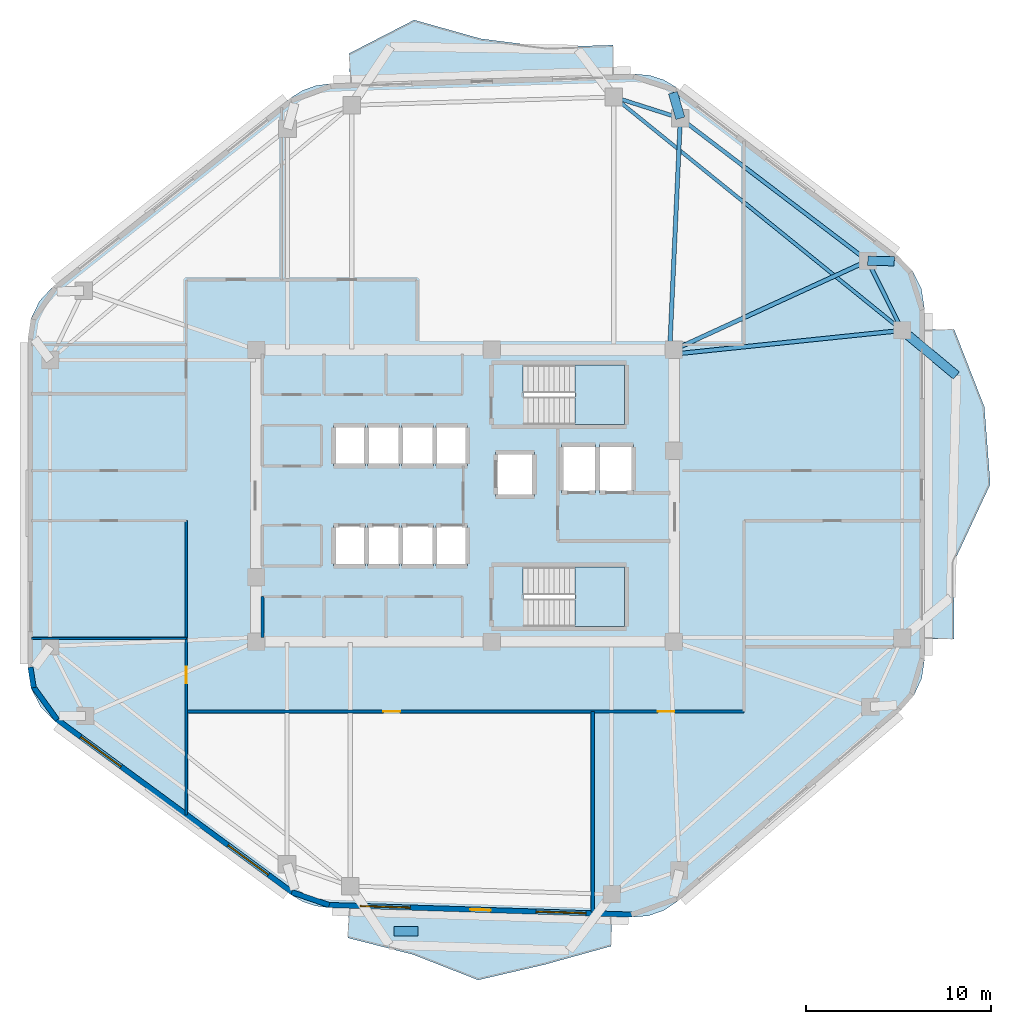
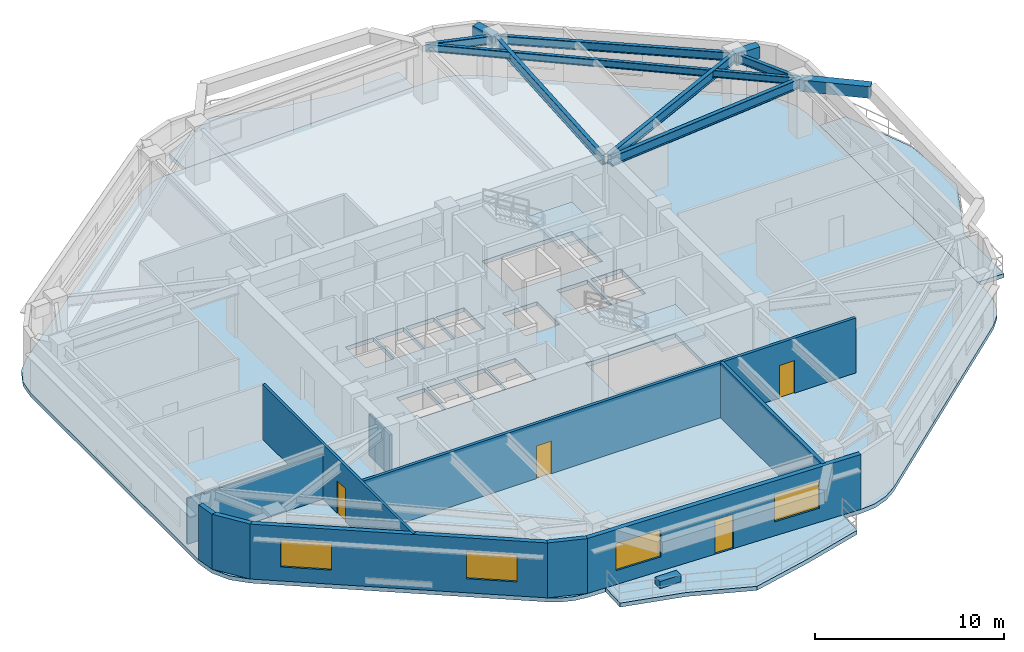
# One storey, part 2 of 8: 10 beams, 10 walls, 6 slabs, 4 doors, 4 windows, 1 plate, 8 openings, 2 elements without a shape of their own.
"""IFC4 building model written with IfcOpenShell, lengths in metres."""

import ifcopenshell
import ifcopenshell.guid

model = None  # the IFC model being written
_history = None  # IfcOwnerHistory: only IFC2X3 demands one
_inside = {}  # id of a spatial element -> (the spatial element, [elements in it])
_under = {}  # id of a project, library or spatial element -> (it, [spatial elements below it])
_declared = {}  # id of a project -> (the project, [libraries it declares])
_typed = {}  # id of a type object -> (the type object, [elements of that type])
_made_of = {}  # id of a material, layer set ... -> (it, [elements and type objects made of it])


def new_model(schema):
    """Start an empty IFC model of exactly this schema.

    Asked for "IFC4X3", IfcOpenShell would pick the latest addendum, in which some entities
    have other attributes; the version numbers below select the first issue.
    IFC2X3 requires an IfcOwnerHistory on every rooted entity: one is made here for all.
    """
    global model, _history
    if schema == "IFC4X3":
        model = ifcopenshell.file(schema_version=(4, 3, 0, 0))
    else:
        model = ifcopenshell.file(schema=schema)
    _inside.clear()
    _under.clear()
    _declared.clear()
    _typed.clear()
    _made_of.clear()
    _history = None
    if model.schema == "IFC2X3":
        org = make("IfcOrganization", Name="unknown")
        user = make(
            "IfcPersonAndOrganization",
            ThePerson=make("IfcPerson", FamilyName="unknown"),
            TheOrganization=org,
        )
        app = make(
            "IfcApplication",
            ApplicationDeveloper=org,
            Version="unknown",
            ApplicationFullName="unknown",
            ApplicationIdentifier="unknown",
        )
        _history = make(
            "IfcOwnerHistory",
            OwningUser=user,
            OwningApplication=app,
            ChangeAction="ADDED",
            CreationDate=0,
        )
    return model


def make(cls, **values):
    """One entity of the class cls with the attributes given. An attribute that is None is left unset."""
    return model.create_entity(
        cls, **{name: value for name, value in values.items() if value is not None}
    )


def rooted(cls, **values):
    """An entity with a GlobalId (a new one), such as an element, a storey or a relation."""
    return make(cls, GlobalId=ifcopenshell.guid.new(), OwnerHistory=_history, **values)


def si_unit(unit_type, name, prefix=None):
    """IfcSIUnit, for example si_unit("LENGTHUNIT", "METRE", prefix="MILLI")."""
    return make("IfcSIUnit", UnitType=unit_type, Prefix=prefix, Name=name)


def assignment(units):
    """IfcUnitAssignment: the units of a project."""
    return None if units is None else make("IfcUnitAssignment", Units=units)


def point(xyz):
    """IfcCartesianPoint."""
    return None if xyz is None else make("IfcCartesianPoint", Coordinates=xyz)


def direction(xyz):
    """IfcDirection."""
    return None if xyz is None else make("IfcDirection", DirectionRatios=xyz)


def frame(location, z_axis=None, x_axis=None):
    """IfcAxis2Placement3D, a coordinate frame: its origin and axes. An axis left out is left unset."""
    return make(
        "IfcAxis2Placement3D",
        Location=point(location),
        Axis=direction(z_axis),
        RefDirection=direction(x_axis),
    )


def frame_2d(location, x_axis=None):
    """IfcAxis2Placement2D, a coordinate frame in the plane: its origin and x axis."""
    return make(
        "IfcAxis2Placement2D", Location=point(location), RefDirection=direction(x_axis)
    )


def origin():
    """The frame at (0, 0, 0) with its axes left unset."""
    return frame((0.0, 0.0, 0.0))


def origin_2d():
    """The frame at (0, 0) in the plane with its x axis left unset."""
    return frame_2d((0.0, 0.0))


def place(relative_to, where):
    """IfcLocalPlacement: puts the frame where relative to a parent placement (None: the world)."""
    return make(
        "IfcLocalPlacement", PlacementRelTo=relative_to, RelativePlacement=where
    )


def context(
    kind, dimensions, precision=None, world=None, true_north=None, identifier=None
):
    """IfcGeometricRepresentationContext, for example the 3D "Model" context."""
    return make(
        "IfcGeometricRepresentationContext",
        ContextIdentifier=identifier,
        ContextType=kind,
        CoordinateSpaceDimension=dimensions,
        Precision=precision,
        WorldCoordinateSystem=world,
        TrueNorth=true_north,
    )


def subcontext(parent, identifier, kind, view, scale=None):
    """IfcGeometricRepresentationSubContext, for example "Body" below "Model"."""
    return make(
        "IfcGeometricRepresentationSubContext",
        ContextIdentifier=identifier,
        ContextType=kind,
        ParentContext=parent,
        TargetScale=scale,
        TargetView=view,
    )


def project(units=None, contexts=None):
    """IfcProject with its units and contexts."""
    return rooted(
        "IfcProject",
        Name="project",
        RepresentationContexts=contexts,
        UnitsInContext=assignment(units),
    )


def spatial(cls, under=None, at=None, **own):
    """A site, building, storey or space (cls), placed at a placement, below another one or the project."""
    s = rooted(cls, ObjectPlacement=at, **own)
    if under is not None:
        _under.setdefault(under.id(), (under, []))[1].append(s)
    return s


def polyline(points):
    """IfcPolyline through the points."""
    return make("IfcPolyline", Points=[point(p) for p in points])


def profile(cls, at=None, kind="AREA", **sizes):
    """A parametric profile (cls). Its sizes go by their IFC names, for example OverallWidth=200.0."""
    return make(cls, ProfileType=kind, Position=at, **sizes)


def rectangle(**sizes):
    """IfcRectangleProfileDef."""
    return profile("IfcRectangleProfileDef", **sizes)


def i_section(**sizes):
    """IfcIShapeProfileDef."""
    return profile("IfcIShapeProfileDef", **sizes)


def outline(outer, holes=None, kind="AREA"):
    """IfcArbitraryClosedProfileDef: a profile drawn as a closed curve; with holes, ...WithVoids."""
    if holes is None:
        return make("IfcArbitraryClosedProfileDef", ProfileType=kind, OuterCurve=outer)
    return make(
        "IfcArbitraryProfileDefWithVoids",
        ProfileType=kind,
        OuterCurve=outer,
        InnerCurves=holes,
    )


def extrude(swept, where, along, depth):
    """IfcExtrudedAreaSolid: the profile swept, set in the frame where, extruded along a direction by depth."""
    return make(
        "IfcExtrudedAreaSolid",
        SweptArea=swept,
        Position=where,
        ExtrudedDirection=direction(along),
        Depth=depth,
    )


def shape(context_of_items, identifier, shape_type, items):
    """IfcShapeRepresentation: the items that make up one representation, for example the "Body"."""
    return make(
        "IfcShapeRepresentation",
        ContextOfItems=context_of_items,
        RepresentationIdentifier=identifier,
        RepresentationType=shape_type,
        Items=items,
    )


def material(Name=None, Category=None):
    """IfcMaterial."""
    return make("IfcMaterial", Name=Name, Category=Category)


def layer(
    of_material, thickness, ventilated=None, Name=None, Category=None, Priority=None
):
    """IfcMaterialLayer: one layer of a wall or slab, of a material (None: an air gap)."""
    return make(
        "IfcMaterialLayer",
        Material=of_material,
        LayerThickness=thickness,
        IsVentilated=ventilated,
        Name=Name,
        Category=Category,
        Priority=Priority,
    )


def layer_set(layers, Name=None):
    """IfcMaterialLayerSet."""
    return make("IfcMaterialLayerSet", MaterialLayers=layers, LayerSetName=Name)


def material_profile(
    of_material, cross_section, Name=None, Category=None, Priority=None
):
    """IfcMaterialProfile: a cross section and its material."""
    return make(
        "IfcMaterialProfile",
        Name=Name,
        Material=of_material,
        Profile=cross_section,
        Priority=Priority,
        Category=Category,
    )


def profile_set(profiles, Name=None, composite=None):
    """IfcMaterialProfileSet."""
    return make(
        "IfcMaterialProfileSet",
        Name=Name,
        MaterialProfiles=profiles,
        CompositeProfile=composite,
    )


def made_of(thing, what):
    """Note that an element or type object is made of a material, layer set ...; save() writes the relation."""
    if what is not None:
        _made_of.setdefault(what.id(), (what, []))[1].append(thing)
    return thing


def type_object(cls, material=None, **own):
    """A type object (cls), such as IfcWallType, which elements share."""
    return made_of(rooted(cls, **own), material)


def element(
    cls,
    number,
    at=None,
    inside=None,
    cuts=None,
    type_object=None,
    material=None,
    context=None,
    identifier="Body",
    shape_type=None,
    held_by="IfcProductDefinitionShape",
    body=None,
    shapes=None,
    **own,
):
    """One element of the class cls, such as IfcWall. Its Tag is "e" and its number.

    at: its placement. inside: the storey or other place that contains it. cuts: it is an
    opening in that element (IfcRelVoidsElement). A single representation is given by context,
    identifier, shape_type and body (its items); several are given by shapes. held_by: the class
    of the entity that holds the representations. save() writes the other relations.
    """
    e = rooted(cls, Tag="e%d" % number, ObjectPlacement=at, **own)
    if body is not None:
        shapes = [shape(context, identifier, shape_type, body)]
    if shapes is not None:
        e.Representation = make(held_by, Representations=shapes)
    if inside is not None:
        _inside.setdefault(inside.id(), (inside, []))[1].append(e)
    if cuts is not None:
        rooted(
            "IfcRelVoidsElement", RelatingBuildingElement=cuts, RelatedOpeningElement=e
        )
    if type_object is not None:
        _typed.setdefault(type_object.id(), (type_object, []))[1].append(e)
    return made_of(e, material)


def fill(opening, filler):
    """IfcRelFillsElement: the door or window that sits in an opening."""
    return rooted(
        "IfcRelFillsElement",
        RelatingOpeningElement=opening,
        RelatedBuildingElement=filler,
    )


def aggregate(whole, parts):
    """IfcRelAggregates: a whole, such as a stair, and the parts it consists of."""
    return rooted("IfcRelAggregates", RelatingObject=whole, RelatedObjects=parts)


def save(model, path):
    """Write the relations noted so far, then the file.

    IfcRelAggregates (storeys below a building ...), IfcRelContainedInSpatialStructure (elements
    in a storey), IfcRelDefinesByType, IfcRelAssociatesMaterial and IfcRelDeclares: one each for
    every whole, place, type object, material and project.
    """
    for whole, parts in _under.values():
        aggregate(whole, parts)
    for where, things in _inside.values():
        rooted(
            "IfcRelContainedInSpatialStructure",
            RelatedElements=things,
            RelatingStructure=where,
        )
    for kind, things in _typed.values():
        rooted("IfcRelDefinesByType", RelatedObjects=things, RelatingType=kind)
    for what, things in _made_of.values():
        rooted("IfcRelAssociatesMaterial", RelatedObjects=things, RelatingMaterial=what)
    for by, libraries in _declared.values():
        rooted("IfcRelDeclares", RelatingContext=by, RelatedDefinitions=libraries)
    model.write(path)


model = new_model("IFC4")

# Units and contexts
model_context = context("Model", 3, precision=1e-05, world=origin(), true_north=direction((0.0, 1.0)))
body_context = subcontext(model_context, "Body", "Model", "MODEL_VIEW")
ifc_project = project(units=[si_unit("LENGTHUNIT", "METRE"), si_unit("AREAUNIT", "SQUARE_METRE"), si_unit("VOLUMEUNIT", "CUBIC_METRE"), si_unit("PLANEANGLEUNIT", "RADIAN"), si_unit("MASSUNIT", "GRAM", prefix="KILO")], contexts=[model_context])

# Site, building, storey
site_placement = place(None, origin())
site = spatial("IfcSite", under=ifc_project, at=site_placement, CompositionType="ELEMENT")
building_placement = place(site_placement, origin())
building = spatial("IfcBuilding", under=site, at=building_placement, Name="Zulverin Broadcast Headquarters", CompositionType="ELEMENT")
storey_placement = place(building_placement, frame((0.0, 0.0, 163.0)))
storey = spatial("IfcBuildingStorey", under=building, at=storey_placement, Name="L41", CompositionType="ELEMENT", Elevation=163.0)

# Beams
ifc_material_1 = material(Name="Concrete C40/50", Category="concrete")
ifc_material_profile_1 = material_profile(ifc_material_1, rectangle(XDim=0.5, YDim=0.75, at=origin_2d()), Name="Concrete C40/50", Category="concrete")
ifc_profile_set_1 = profile_set([ifc_material_profile_1], Name="Concrete C40/50")
beam_type_1 = type_object("IfcBeamType", Name="BM-RC-500x750", PredefinedType="BEAM", material=ifc_profile_set_1)
for number, where, z_axis, x_axis, name in (
    (1, (58.738037109375, 37.877685546875, 3.1650390625), (0.99990438472, -0.013828283279, 0.0), (0.013828283279, 0.99990438472, 0.0), "L42 Plate Overhang Back-Spanned Beam OVR-07"),
    (2, (48.62158203125, 45.574951171875, 3.1650390625), (-0.28015077605, 0.959956010804, 0.0), (-0.959956010804, -0.28015077605, 0.0), "L42 Plate Overhang Back-Spanned Beam OVR-08"),
):
    element("IfcBeam", number, at=place(storey_placement, frame(where, z_axis=z_axis, x_axis=x_axis)), inside=storey, type_object=beam_type_1, Name=name, PredefinedType="BEAM", context=body_context, shape_type="SweptSolid", body=[
        extrude(rectangle(XDim=0.5, YDim=0.75, at=origin_2d()), origin(), (0.0, 0.0, 1.0), 1.43017578125),
    ])
beam_1_placement = place(storey_placement, frame((60.60009765625, 34.12158203125, 3.1650390625), z_axis=(0.768400300007, -0.639969514078, 0.0), x_axis=(0.639969514078, 0.768400300007, 0.0)))
element("IfcBeam", 3, at=beam_1_placement, inside=storey, type_object=beam_type_1, Name="L42 Balcony Column-Framed Cantilever BAL_E-2", PredefinedType="BEAM", context=body_context, shape_type="SweptSolid", body=[
    extrude(rectangle(XDim=0.5, YDim=0.75, at=origin_2d()), origin(), (0.0, 0.0, 1.0), 3.800048828125),
])
ifc_material_2 = material(Name="Structural steel S355JR", Category="steel")
ifc_material_profile_2 = material_profile(ifc_material_2, i_section(OverallWidth=0.19287109375, OverallDepth=0.46728515625, WebThickness=0.011474609375, FlangeThickness=0.01953125, at=origin_2d()), Name="Structural steel S355JR", Category="steel")
ifc_profile_set_2 = profile_set([ifc_material_profile_2], Name="Structural steel S355JR")
beam_type_2 = type_object("IfcBeamType", Name="BM-UB-457", PredefinedType="JOIST", material=ifc_profile_set_2)
beam_2_placement = place(storey_placement, frame((60.60009765625, 34.12158203125, 3.306396484375), z_axis=(-0.777349017335, 0.629069555175, 0.0), x_axis=(-0.629069555175, -0.777349017335, 0.0)))
element("IfcBeam", 4, at=beam_2_placement, inside=storey, type_object=beam_type_2, Name="L41 Chordal Floor Joist J-02", PredefinedType="JOIST", context=body_context, shape_type="SweptSolid", body=[
    extrude(i_section(OverallWidth=0.19287109375, OverallDepth=0.46728515625, WebThickness=0.011474609375, FlangeThickness=0.01953125, at=origin_2d()), origin(), (0.0, 0.0, 1.0), 20.032958984375),
])
ifc_material_profile_3 = material_profile(ifc_material_2, i_section(OverallWidth=0.2119140625, OverallDepth=0.54443359375, WebThickness=0.0126953125, FlangeThickness=0.021240234375, at=origin_2d()), Name="Structural steel S355JR", Category="steel")
ifc_profile_set_3 = profile_set([ifc_material_profile_3], Name="Structural steel S355JR")
beam_type_3 = type_object("IfcBeamType", Name="BM-UB-533", PredefinedType="SPANDREL", material=ifc_profile_set_3)
beam_3_placement = place(storey_placement, frame((60.60009765625, 34.12158203125, 3.267578125), z_axis=(-0.444159471033, 0.895947746407, 0.0), x_axis=(-0.895947746407, -0.444159471033, 0.0)))
element("IfcBeam", 5, at=beam_3_placement, inside=storey, type_object=beam_type_3, Name="L41 Perimeter Spandrel Beam SP-06", PredefinedType="SPANDREL", context=body_context, shape_type="SweptSolid", body=[
    extrude(i_section(OverallWidth=0.2119140625, OverallDepth=0.54443359375, WebThickness=0.0126953125, FlangeThickness=0.021240234375, at=origin_2d()), origin(), (0.0, 0.0, 1.0), 4.1923828125),
])
beam_4_placement = place(storey_placement, frame((58.738037109375, 37.877685546875, 3.267578125), z_axis=(-0.795830102505, 0.60551998146, 0.0), x_axis=(-0.60551998146, -0.795830102505, 0.0)))
element("IfcBeam", 6, at=beam_4_placement, inside=storey, type_object=beam_type_3, Name="L41 Perimeter Spandrel Beam SP-07", PredefinedType="SPANDREL", context=body_context, shape_type="SweptSolid", body=[
    extrude(i_section(OverallWidth=0.2119140625, OverallDepth=0.54443359375, WebThickness=0.0126953125, FlangeThickness=0.021240234375, at=origin_2d()), origin(), (0.0, 0.0, 1.0), 12.7119140625),
])
beam_5_placement = place(storey_placement, frame((48.62158203125, 45.574951171875, 3.267578125), z_axis=(-0.952531523781, 0.304439971428, 0.0), x_axis=(-0.304439971428, -0.952531523781, 0.0)))
element("IfcBeam", 7, at=beam_5_placement, inside=storey, type_object=beam_type_3, Name="L41 Perimeter Spandrel Beam SP-08", PredefinedType="SPANDREL", context=body_context, shape_type="SweptSolid", body=[
    extrude(i_section(OverallWidth=0.2119140625, OverallDepth=0.54443359375, WebThickness=0.0126953125, FlangeThickness=0.021240234375, at=origin_2d()), origin(), (0.0, 0.0, 1.0), 3.773193359375),
])
ifc_material_profile_4 = material_profile(ifc_material_2, i_section(OverallWidth=0.230224609375, OverallDepth=0.6171875, WebThickness=0.01318359375, FlangeThickness=0.022216796875, at=origin_2d()), Name="Structural steel S355JR", Category="steel")
ifc_profile_set_4 = profile_set([ifc_material_profile_4], Name="Structural steel S355JR")
beam_type_4 = type_object("IfcBeamType", Name="BM-UB-610", PredefinedType="BEAM", material=ifc_profile_set_4)
beam_6_placement = place(storey_placement, frame((48.324951171875, 32.85009765625, 3.2314453125), z_axis=(0.994678169641, 0.103030766473, 0.0), x_axis=(-0.103030766473, 0.994678169641, 0.0)))
element("IfcBeam", 8, at=beam_6_placement, inside=storey, type_object=beam_type_4, Name="L41 Radial Primary Floor Beam RB-06", PredefinedType="BEAM", context=body_context, shape_type="SweptSolid", body=[
    extrude(i_section(OverallWidth=0.230224609375, OverallDepth=0.6171875, WebThickness=0.01318359375, FlangeThickness=0.022216796875, at=origin_2d()), origin(), (0.0, 0.0, 1.0), 12.3408203125),
])
beam_7_placement = place(storey_placement, frame((48.27490234375, 33.074951171875, 3.2314453125), z_axis=(0.90883007293, 0.417166511764, 0.0), x_axis=(-0.417166511764, 0.90883007293, 0.0)))
element("IfcBeam", 9, at=beam_7_placement, inside=storey, type_object=beam_type_4, Name="L41 Radial Primary Floor Beam RB-07", PredefinedType="BEAM", context=body_context, shape_type="SweptSolid", body=[
    extrude(i_section(OverallWidth=0.230224609375, OverallDepth=0.6171875, WebThickness=0.01318359375, FlangeThickness=0.022216796875, at=origin_2d()), origin(), (0.0, 0.0, 1.0), 11.5126953125),
])
beam_8_placement = place(storey_placement, frame((48.050048828125, 33.125, 3.2314453125), z_axis=(0.045858166026, 0.998947960911, 0.0), x_axis=(-0.998947960911, 0.045858166026, 0.0)))
element("IfcBeam", 10, at=beam_8_placement, inside=storey, type_object=beam_type_4, Name="L41 Radial Primary Floor Beam RB-08", PredefinedType="BEAM", context=body_context, shape_type="SweptSolid", body=[
    extrude(i_section(OverallWidth=0.230224609375, OverallDepth=0.6171875, WebThickness=0.01318359375, FlangeThickness=0.022216796875, at=origin_2d()), origin(), (0.0, 0.0, 1.0), 12.463134765625),
])

# Plate
ifc_material_3 = material(Name="Precast concrete C45/55", Category="concrete")
ifc_layer_1 = layer(ifc_material_3, 0.449951171875, Name="Precast concrete C45/55", Category="concrete")
ifc_layer_set_1 = layer_set([ifc_layer_1], Name="Precast concrete C45/55")
plate_type = type_object("IfcPlateType", Name="PT-01_PRECAST_GFRC_TREE_PLANTER", PredefinedType="USERDEFINED", material=ifc_layer_set_1)
plate_placement = place(storey_placement, frame((33.808349609375, 1.68115234375, -0.0048828125), z_axis=(0.0, 0.0, 1.0), x_axis=(1.0, 0.0, 0.0)))
element("IfcPlate", 11, at=plate_placement, inside=storey, type_object=plate_type, Name="L41 Precast GFRC Tree Planter BAL_S", ObjectType="PLANTER", PredefinedType="USERDEFINED", context=body_context, shape_type="SweptSolid", body=[
    extrude(rectangle(XDim=1.300048828125, YDim=0.5, at=origin_2d()), origin(), (0.0, 0.0, 1.0), 0.449951171875),
])

# Slabs
ifc_layer_2 = layer(ifc_material_1, 0.260009765625, Name="Concrete C40/50", Category="concrete")
ifc_layer_set_2 = layer_set([ifc_layer_2], Name="Concrete C40/50")
slab_type_1 = type_object("IfcSlabType", Name="SLB-BAL-260", PredefinedType="FLOOR", material=ifc_layer_set_2)
slab_1_placement = place(storey_placement, frame((0.0, 0.0, -0.260009765625)))
element("IfcSlab", 12, at=slab_1_placement, inside=storey, type_object=slab_type_1, Name="L41 Cantilevered Planted Balcony Slab BAL_E", PredefinedType="FLOOR", context=body_context, shape_type="SweptSolid", body=[
    extrude(outline(polyline([(61.800048828125, 34.17138671875), (61.800048828125, 17.46923828125), (63.39990234375, 17.46923828125), (63.39990234375, 21.644775390625), (65.35009765625, 25.8203125), (65.029541015625, 29.995849609375), (63.39990234375, 34.17138671875), (61.800048828125, 34.17138671875)])), origin(), (0.0, 0.0, 1.0), 0.260009765625),
])
slab_2_placement = place(storey_placement, frame((0.0, 0.0, -0.260009765625)))
element("IfcSlab", 13, at=slab_2_placement, inside=storey, type_object=slab_type_1, Name="L41 Cantilevered Planted Balcony Slab BAL_S", PredefinedType="FLOOR", context=body_context, shape_type="SweptSolid", body=[
    extrude(outline(polyline([(44.921630859375, 2.479248046875), (30.720458984375, 2.9296875), (30.669921875, 1.33056640625), (34.195068359375, 0.429931640625), (37.705322265625, -0.943603515625), (41.28564453125, -0.11328125), (44.87109375, 0.8798828125), (44.921630859375, 2.479248046875)])), origin(), (0.0, 0.0, 1.0), 0.260009765625),
])
slab_3_placement = place(storey_placement, frame((0.0, 0.0, -0.260009765625)))
element("IfcSlab", 14, at=slab_3_placement, inside=storey, type_object=slab_type_1, Name="L41 Cantilevered Planted Balcony Slab BAL_N", PredefinedType="FLOOR", context=body_context, shape_type="SweptSolid", body=[
    extrude(outline(polyline([(30.794189453125, 47.47265625), (45.03955078125, 47.924560546875), (44.98876953125, 49.523681640625), (41.427490234375, 49.410888671875), (37.847900390625, 49.86767578125), (34.2509765625, 50.87841796875), (30.743408203125, 49.072021484375), (30.794189453125, 47.47265625)])), origin(), (0.0, 0.0, 1.0), 0.260009765625),
])

# Stair, slab
stair_type = type_object("IfcStairType", Name="ST-CORE-1500", PredefinedType="HALF_TURN_STAIR", material=ifc_material_1)
stair_1_placement = place(storey_placement, origin())
stair_1 = element("IfcStair", 15, at=stair_1_placement, inside=storey, type_object=stair_type, Name="L41 Core Exit Stair ST-1", PredefinedType="HALF_TURN_STAIR")
ifc_layer_3 = layer(ifc_material_1, 0.199951171875, Name="Concrete C40/50", Category="concrete")
ifc_layer_set_3 = layer_set([ifc_layer_3], Name="Concrete C40/50")
slab_type_2 = type_object("IfcSlabType", Name="SLB-ST-LND200", PredefinedType="LANDING", material=ifc_layer_set_3)
slab_4_placement = place(storey_placement, frame((0.0, 0.0, 1.699951171875)))
slab_4 = element("IfcSlab", 16, at=slab_4_placement, type_object=slab_type_2, Name="ST-1 landing 1", PredefinedType="LANDING", context=body_context, shape_type="SweptSolid", body=[
    extrude(outline(polyline([(42.929931640625, 29.050048828125), (45.60009765625, 29.050048828125), (45.60009765625, 32.25), (42.929931640625, 32.25), (42.929931640625, 29.050048828125)])), origin(), (0.0, 0.0, 1.0), 0.199951171875),
])
aggregate(stair_1, [slab_4])

stair_2_placement = place(storey_placement, origin())
stair_2 = element("IfcStair", 17, at=stair_2_placement, inside=storey, type_object=stair_type, Name="L41 Core Exit Stair ST-2", PredefinedType="HALF_TURN_STAIR")
slab_5_placement = place(storey_placement, frame((0.0, 0.0, 1.699951171875)))
slab_5 = element("IfcSlab", 18, at=slab_5_placement, type_object=slab_type_2, Name="ST-2 landing 1", PredefinedType="LANDING", context=body_context, shape_type="SweptSolid", body=[
    extrude(outline(polyline([(42.929931640625, 18.14990234375), (45.60009765625, 18.14990234375), (45.60009765625, 21.35009765625), (42.929931640625, 21.35009765625), (42.929931640625, 18.14990234375)])), origin(), (0.0, 0.0, 1.0), 0.199951171875),
])
aggregate(stair_2, [slab_5])

# Slab
ifc_layer_4 = layer(ifc_material_1, 0.260009765625, Name="Concrete C40/50", Category="concrete")
ifc_layer_set_4 = layer_set([ifc_layer_4], Name="Concrete C40/50")
slab_type_3 = type_object("IfcSlabType", Name="SLB-TWR-260", PredefinedType="FLOOR", material=ifc_layer_set_4)
slab_6_placement = place(storey_placement, frame((0.0, 0.0, -0.260009765625)))
element("IfcSlab", 19, at=slab_6_placement, inside=storey, type_object=slab_type_3, Name="L41 Main Structural Floor Slab", PredefinedType="FLOOR", context=body_context, shape_type="SweptSolid", body=[
    extrude(outline(polyline([(27.603515625, 3.661865234375), (28.224365234375, 3.295166015625), (28.906005859375, 3.0595703125), (29.62109375, 2.964599609375), (46.02099609375, 2.4443359375), (46.902587890625, 2.525146484375), (47.738037109375, 2.81884765625), (48.476318359375, 3.3076171875), (60.541015625, 13.63427734375), (61.220703125, 14.41064453125), (61.652099609375, 15.34814453125), (61.800048828125, 16.369384765625), (61.800048828125, 35.271484375), (61.6318359375, 36.358642578125), (61.143310546875, 37.344482421875), (60.3798828125, 38.136474609375), (48.432861328125, 47.226318359375), (47.73095703125, 47.643798828125), (46.952880859375, 47.892578125), (46.138916015625, 47.95947265625), (29.694580078125, 47.437744140625), (28.9365234375, 47.332275390625), (28.2177734375, 47.06884765625), (27.57080078125, 46.659423828125), (14.761962890625, 36.492919921875), (14.02880859375, 35.705810546875), (13.560791015625, 34.737060546875), (13.39990234375, 33.673095703125), (13.39990234375, 15.921875), (13.57421875, 14.815673828125), (14.079833984375, 13.81640625), (14.8681640625, 13.02099609375), (27.603515625, 3.661865234375)]), holes=[polyline([(40.155029296875, 30.75), (40.130126953125, 30.75), (40.130126953125, 32.25), (45.60009765625, 32.25), (45.60009765625, 29.050048828125), (40.155029296875, 29.050048828125), (40.155029296875, 30.75)]), polyline([(40.155029296875, 19.85009765625), (40.130126953125, 19.85009765625), (40.130126953125, 21.35009765625), (45.60009765625, 21.35009765625), (45.60009765625, 18.14990234375), (40.155029296875, 18.14990234375), (40.155029296875, 19.85009765625)]), polyline([(29.89990234375, 21.39990234375), (31.6201171875, 21.39990234375), (31.6201171875, 23.60009765625), (29.89990234375, 23.60009765625), (29.89990234375, 21.39990234375)]), polyline([(31.739990234375, 21.39990234375), (33.4599609375, 21.39990234375), (33.4599609375, 23.60009765625), (31.739990234375, 23.60009765625), (31.739990234375, 21.39990234375)]), polyline([(33.580078125, 21.39990234375), (35.300048828125, 21.39990234375), (35.300048828125, 23.60009765625), (33.580078125, 23.60009765625), (33.580078125, 21.39990234375)]), polyline([(35.419921875, 21.39990234375), (37.139892578125, 21.39990234375), (37.139892578125, 23.60009765625), (35.419921875, 23.60009765625), (35.419921875, 21.39990234375)]), polyline([(29.89990234375, 26.800048828125), (31.6201171875, 26.800048828125), (31.6201171875, 29.0), (29.89990234375, 29.0), (29.89990234375, 26.800048828125)]), polyline([(31.739990234375, 26.800048828125), (33.4599609375, 26.800048828125), (33.4599609375, 29.0), (31.739990234375, 29.0), (31.739990234375, 26.800048828125)]), polyline([(33.580078125, 26.800048828125), (35.300048828125, 26.800048828125), (35.300048828125, 29.0), (33.580078125, 29.0), (33.580078125, 26.800048828125)]), polyline([(35.419921875, 26.800048828125), (37.139892578125, 26.800048828125), (37.139892578125, 29.0), (35.419921875, 29.0), (35.419921875, 26.800048828125)]), polyline([(42.199951171875, 25.35009765625), (44.050048828125, 25.35009765625), (44.050048828125, 27.949951171875), (42.199951171875, 27.949951171875), (42.199951171875, 25.35009765625)]), polyline([(44.25, 25.35009765625), (46.10009765625, 25.35009765625), (46.10009765625, 27.949951171875), (44.25, 27.949951171875), (44.25, 25.35009765625)]), polyline([(38.64990234375, 25.14990234375), (40.75, 25.14990234375), (40.75, 27.550048828125), (38.64990234375, 27.550048828125), (38.64990234375, 25.14990234375)])]), origin(), (0.0, 0.0, 1.0), 0.260009765625),
])

# Wall
ifc_material_4 = material(Name="Acoustic drywall steel stud", Category="steel")
ifc_layer_5 = layer(ifc_material_4, 0.199951171875, Name="Acoustic drywall steel stud", Category="steel")
ifc_layer_set_5 = layer_set([ifc_layer_5], Name="Acoustic drywall steel stud")
wall_type_1 = type_object("IfcWallType", Name="WL-ACOU-200", PredefinedType="PARTITIONING", material=ifc_layer_set_5)
wall_1_placement = place(storey_placement, frame((43.89990234375, 2.716552734375, 0.0), z_axis=(0.0, 0.0, 1.0), x_axis=(0.0, 1.0, 0.0)))
element("IfcWall", 20, at=wall_1_placement, inside=storey, type_object=wall_type_1, Name="L41 Room Partition Wall RP-03", PredefinedType="PARTITIONING", context=body_context, shape_type="SweptSolid", body=[
    extrude(rectangle(XDim=10.83349609375, YDim=0.199951171875, at=frame_2d((5.416748046875, 0.0))), origin(), (0.0, 0.0, 1.0), 3.5400390625),
])

# Wall, openings, door, windows
ifc_material_5 = material(Name="Insulated pale-metal clad concrete spandrel C40/50", Category="concrete")
ifc_layer_6 = layer(ifc_material_5, 0.280029296875, Name="Insulated pale-metal clad concrete spandrel C40/50", Category="concrete")
ifc_layer_set_6 = layer_set([ifc_layer_6], Name="Insulated pale-metal clad concrete spandrel C40/50")
wall_type_2 = type_object("IfcWallType", Name="WL-EXT-280", PredefinedType="STANDARD", material=ifc_layer_set_6)
wall_2_placement = place(storey_placement, frame((29.62548828125, 3.1044921875, 0.0), z_axis=(0.0, 0.0, 1.0), x_axis=(0.99949718661, -0.031707632487, 0.0)))
wall_2 = element("IfcWall", 21, at=wall_2_placement, inside=storey, type_object=wall_type_2, Name="L41 Pale-Metal Clad Spandrel Wall 1", PredefinedType="STANDARD", context=body_context, shape_type="SweptSolid", body=[
    extrude(rectangle(XDim=16.408203125, YDim=0.280029296875, at=frame_2d((8.2041015625, 0.0))), origin(), (0.0, 0.0, 1.0), 3.5400390625),
])
opening_1_placement = place(wall_2_placement, frame((7.654052734375, 0.0, 0.0)))
opening_1 = element("IfcOpeningElement", 22, at=opening_1_placement, cuts=wall_2, Name="Opening D-L41-TR1", PredefinedType="OPENING", context=body_context, shape_type="SweptSolid", body=[
    extrude(rectangle(XDim=1.10009765625, YDim=2.199951171875, at=frame_2d((0.550048828125, 1.10009765625))), frame((0.0, 0.14990234375, 0.0), z_axis=(0.0, -1.0, 0.0), x_axis=(1.0, 0.0, 0.0)), (0.0, 0.0, 1.0), 0.300048828125),
])
opening_2_placement = place(wall_2_placement, frame((1.718017578125, 0.0, 0.89990234375)))
opening_2 = element("IfcOpeningElement", 23, at=opening_2_placement, cuts=wall_2, Name="Opening W-L41-E11", PredefinedType="OPENING", context=body_context, shape_type="SweptSolid", body=[
    extrude(rectangle(XDim=2.699951171875, YDim=1.75, at=frame_2d((1.35009765625, 0.875))), frame((0.0, 0.14990234375, 0.0), z_axis=(0.0, -1.0, 0.0), x_axis=(1.0, 0.0, 0.0)), (0.0, 0.0, 1.0), 0.300048828125),
])
opening_3_placement = place(wall_2_placement, frame((11.210205078125, 0.0, 0.89990234375)))
opening_3 = element("IfcOpeningElement", 24, at=opening_3_placement, cuts=wall_2, Name="Opening W-L41-E12", PredefinedType="OPENING", context=body_context, shape_type="SweptSolid", body=[
    extrude(rectangle(XDim=2.699951171875, YDim=1.75, at=frame_2d((1.35009765625, 0.875))), frame((0.0, 0.14990234375, 0.0), z_axis=(0.0, -1.0, 0.0), x_axis=(1.0, 0.0, 0.0)), (0.0, 0.0, 1.0), 0.300048828125),
])
ifc_material_6 = material(Name="Thermally broken aluminium glazed", Category="aluminium")
door_type_1 = type_object("IfcDoorType", Name="DR-TERR-1100", OperationType="SINGLE_SWING_RIGHT", PredefinedType="DOOR", material=ifc_material_6)
door_1_placement = place(opening_1_placement, origin())
door_1 = element("IfcDoor", 25, at=door_1_placement, inside=storey, type_object=door_type_1, Name="L41 Planted Terrace Glazed Access Door 1", OperationType="SINGLE_SWING_RIGHT", OverallHeight=2.199951171875, OverallWidth=1.10009765625, PredefinedType="DOOR", context=body_context, shape_type="SweptSolid", body=[
    extrude(rectangle(XDim=1.10009765625, YDim=2.199951171875, at=frame_2d((0.550048828125, 1.10009765625))), frame((0.0, 0.02490234375, 0.0), z_axis=(0.0, -1.0, 0.0), x_axis=(1.0, 0.0, 0.0)), (0.0, 0.0, 1.0), 0.050048828125),
])
fill(opening_1, door_1)
ifc_material_7 = material(Name="Pale anodized aluminium frame with solar-control low-E double glazing", Category="aluminium")
window_type = type_object("IfcWindowType", Name="WIN-TWR-2700", PartitioningType="SINGLE_PANEL", PredefinedType="WINDOW", material=ifc_material_7)
window_1_placement = place(opening_2_placement, origin())
window_1 = element("IfcWindow", 26, at=window_1_placement, inside=storey, type_object=window_type, Name="L41 Ribbon Glazing Window 1 1", OverallHeight=1.75, OverallWidth=2.699951171875, PartitioningType="SINGLE_PANEL", PredefinedType="WINDOW", context=body_context, shape_type="SweptSolid", body=[
    extrude(rectangle(XDim=2.699951171875, YDim=1.75, at=frame_2d((1.35009765625, 0.875))), frame((0.0, 0.030029296875, 0.0), z_axis=(0.0, -1.0, 0.0), x_axis=(1.0, 0.0, 0.0)), (0.0, 0.0, 1.0), 0.06005859375),
])
fill(opening_2, window_1)
window_2_placement = place(opening_3_placement, origin())
window_2 = element("IfcWindow", 27, at=window_2_placement, inside=storey, type_object=window_type, Name="L41 Ribbon Glazing Window 1 2", OverallHeight=1.75, OverallWidth=2.699951171875, PartitioningType="SINGLE_PANEL", PredefinedType="WINDOW", context=body_context, shape_type="SweptSolid", body=[
    extrude(rectangle(XDim=2.699951171875, YDim=1.75, at=frame_2d((1.35009765625, 0.875))), frame((0.0, 0.030029296875, 0.0), z_axis=(0.0, -1.0, 0.0), x_axis=(1.0, 0.0, 0.0)), (0.0, 0.0, 1.0), 0.06005859375),
])
fill(opening_3, window_2)

# Wall, openings, windows
wall_3_placement = place(storey_placement, frame((14.950927734375, 13.1337890625, 0.0), z_axis=(0.0, 0.0, 1.0), x_axis=(0.805804940328, -0.592181051827, 0.0)))
wall_3 = element("IfcWall", 28, at=wall_3_placement, inside=storey, type_object=wall_type_2, Name="L41 Pale-Metal Clad Spandrel Wall 8", PredefinedType="STANDARD", context=body_context, shape_type="SweptSolid", body=[
    extrude(rectangle(XDim=15.804443359375, YDim=0.280029296875, at=frame_2d((7.90234375, 0.0))), origin(), (0.0, 0.0, 1.0), 3.5400390625),
])
opening_4_placement = place(wall_3_placement, frame((1.617431640625, 0.0, 0.89990234375)))
opening_4 = element("IfcOpeningElement", 29, at=opening_4_placement, cuts=wall_3, Name="Opening W-L41-E81", PredefinedType="OPENING", context=body_context, shape_type="SweptSolid", body=[
    extrude(rectangle(XDim=2.699951171875, YDim=1.75, at=frame_2d((1.35009765625, 0.875))), frame((0.0, 0.14990234375, 0.0), z_axis=(0.0, -1.0, 0.0), x_axis=(1.0, 0.0, 0.0)), (0.0, 0.0, 1.0), 0.300048828125),
])
opening_5_placement = place(wall_3_placement, frame((11.487060546875, 0.0, 0.89990234375)))
opening_5 = element("IfcOpeningElement", 30, at=opening_5_placement, cuts=wall_3, Name="Opening W-L41-E82", PredefinedType="OPENING", context=body_context, shape_type="SweptSolid", body=[
    extrude(rectangle(XDim=2.699951171875, YDim=1.75, at=frame_2d((1.35009765625, 0.875))), frame((0.0, 0.14990234375, 0.0), z_axis=(0.0, -1.0, 0.0), x_axis=(1.0, 0.0, 0.0)), (0.0, 0.0, 1.0), 0.300048828125),
])
window_3_placement = place(opening_4_placement, origin())
window_3 = element("IfcWindow", 31, at=window_3_placement, inside=storey, type_object=window_type, Name="L41 Ribbon Glazing Window 8 1", OverallHeight=1.75, OverallWidth=2.699951171875, PartitioningType="SINGLE_PANEL", PredefinedType="WINDOW", context=body_context, shape_type="SweptSolid", body=[
    extrude(rectangle(XDim=2.699951171875, YDim=1.75, at=frame_2d((1.35009765625, 0.875))), frame((0.0, 0.030029296875, 0.0), z_axis=(0.0, -1.0, 0.0), x_axis=(1.0, 0.0, 0.0)), (0.0, 0.0, 1.0), 0.06005859375),
])
fill(opening_4, window_3)
window_4_placement = place(opening_5_placement, origin())
window_4 = element("IfcWindow", 32, at=window_4_placement, inside=storey, type_object=window_type, Name="L41 Ribbon Glazing Window 8 2", OverallHeight=1.75, OverallWidth=2.699951171875, PartitioningType="SINGLE_PANEL", PredefinedType="WINDOW", context=body_context, shape_type="SweptSolid", body=[
    extrude(rectangle(XDim=2.699951171875, YDim=1.75, at=frame_2d((1.35009765625, 0.875))), frame((0.0, 0.030029296875, 0.0), z_axis=(0.0, -1.0, 0.0), x_axis=(1.0, 0.0, 0.0)), (0.0, 0.0, 1.0), 0.06005859375),
])
fill(opening_5, window_4)

# Walls
wall_4_placement = place(storey_placement, frame((13.538330078125, 15.943603515625, 0.0), z_axis=(0.0, 0.0, 1.0), x_axis=(0.155447556013, -0.987844146275, 0.0)))
element("IfcWall", 33, at=wall_4_placement, inside=storey, type_object=wall_type_2, Name="L41 Wind-Shaped Corner Spandrel Wall 7-1", PredefinedType="STANDARD", context=body_context, shape_type="SweptSolid", body=[
    extrude(rectangle(XDim=1.119873046875, YDim=0.280029296875, at=frame_2d((0.56005859375, 0.0))), origin(), (0.0, 0.0, 1.0), 3.5400390625),
])
wall_5_placement = place(storey_placement, frame((13.687744140625, 14.897705078125, 0.0), z_axis=(0.0, 0.0, 1.0), x_axis=(0.584833657716, -0.811153248655, 0.0)))
element("IfcWall", 34, at=wall_5_placement, inside=storey, type_object=wall_type_2, Name="L41 Wind-Shaped Corner Spandrel Wall 7-2", PredefinedType="STANDARD", context=body_context, shape_type="SweptSolid", body=[
    extrude(rectangle(XDim=2.21240234375, YDim=0.280029296875, at=frame_2d((1.106201171875, 0.0))), origin(), (0.0, 0.0, 1.0), 3.5400390625),
])
wall_6_placement = place(storey_placement, frame((27.649169921875, 3.794189453125, 0.0), z_axis=(0.0, 0.0, 1.0), x_axis=(0.945149124969, -0.326639145802, 0.0)))
element("IfcWall", 35, at=wall_6_placement, inside=storey, type_object=wall_type_2, Name="L41 Wind-Shaped Corner Spandrel Wall 8-1", PredefinedType="STANDARD", context=body_context, shape_type="SweptSolid", body=[
    extrude(rectangle(XDim=2.134765625, YDim=0.280029296875, at=frame_2d((1.0673828125, 0.0))), origin(), (0.0, 0.0, 1.0), 3.5400390625),
])
ifc_material_8 = material(Name="Fire-rated acoustic laminated glass screen", Category="glass")
ifc_layer_7 = layer(ifc_material_8, 0.10009765625, Name="Fire-rated acoustic laminated glass screen", Category="glass")
ifc_layer_set_7 = layer_set([ifc_layer_7], Name="Fire-rated acoustic laminated glass screen")
wall_type_3 = type_object("IfcWallType", Name="WL-GLAZ-100", PredefinedType="PARTITIONING", material=ifc_layer_set_7)
wall_7_placement = place(storey_placement, frame((13.60498046875, 17.5, 0.0), z_axis=(0.0, 0.0, 1.0), x_axis=(1.0, 0.0, 0.0)))
element("IfcWall", 36, at=wall_7_placement, inside=storey, type_object=wall_type_3, Name="L41 Room Partition Wall RP-10", PredefinedType="PARTITIONING", context=body_context, shape_type="SweptSolid", body=[
    extrude(rectangle(XDim=8.344970703125, YDim=0.10009765625, at=frame_2d((4.17236328125, 0.0))), origin(), (0.0, 0.0, 1.0), 2.9228515625),
])
ifc_material_9 = material(Name="Fire-rated gypsum stud partition", Category="gypsum")
ifc_layer_8 = layer(ifc_material_9, 0.14990234375, Name="Fire-rated gypsum stud partition", Category="gypsum")
ifc_layer_set_8 = layer_set([ifc_layer_8], Name="Fire-rated gypsum stud partition")
wall_type_4 = type_object("IfcWallType", Name="WL-PART-150", PredefinedType="PARTITIONING", material=ifc_layer_set_8)
wall_8_placement = place(storey_placement, frame((26.070068359375, 17.550048828125, 0.0), z_axis=(0.0, 0.0, 1.0), x_axis=(0.0, 1.0, 0.0)))
element("IfcWall", 37, at=wall_8_placement, inside=storey, type_object=wall_type_4, Name="L41 Core Female WC West Wall", PredefinedType="PARTITIONING", context=body_context, shape_type="SweptSolid", body=[
    extrude(rectangle(XDim=2.199951171875, YDim=0.14990234375, at=frame_2d((1.10009765625, 0.0))), origin(), (0.0, 0.0, 1.0), 2.639892578125),
])

# Wall, opening, door
wall_9_placement = place(storey_placement, frame((21.949951171875, 7.95654296875, 0.0), z_axis=(0.0, 0.0, 1.0), x_axis=(0.0, 1.0, 0.0)))
wall_9 = element("IfcWall", 38, at=wall_9_placement, inside=storey, type_object=wall_type_4, Name="L41 Gallery Partition Wall CG-06", PredefinedType="PARTITIONING", context=body_context, shape_type="SweptSolid", body=[
    extrude(rectangle(XDim=15.8935546875, YDim=0.14990234375, at=frame_2d((7.94677734375, 0.0))), origin(), (0.0, 0.0, 1.0), 3.5400390625),
])
opening_6_placement = place(wall_9_placement, frame((7.118408203125, 0.0, 0.0)))
opening_6 = element("IfcOpeningElement", 39, at=opening_6_placement, cuts=wall_9, Name="Opening D-L41-05", PredefinedType="OPENING", context=body_context, shape_type="SweptSolid", body=[
    extrude(rectangle(XDim=0.89990234375, YDim=2.10009765625, at=frame_2d((0.449951171875, 1.050048828125))), frame((0.0, 0.0849609375, 0.0), z_axis=(0.0, -1.0, 0.0), x_axis=(1.0, 0.0, 0.0)), (0.0, 0.0, 1.0), 0.169921875),
])
ifc_material_10 = material(Name="Fire-rated hardwood veneer timber leaf", Category="wood")
door_type_2 = type_object("IfcDoorType", Name="DR-ROOM-900", OperationType="SINGLE_SWING_RIGHT", PredefinedType="DOOR", material=ifc_material_10)
door_2_placement = place(opening_6_placement, origin())
door_2 = element("IfcDoor", 40, at=door_2_placement, inside=storey, type_object=door_type_2, Name="L41 Interview Room Door", OperationType="SINGLE_SWING_RIGHT", OverallHeight=2.10009765625, OverallWidth=0.89990234375, PredefinedType="DOOR", context=body_context, shape_type="SweptSolid", body=[
    extrude(rectangle(XDim=0.89990234375, YDim=2.10009765625, at=frame_2d((0.449951171875, 1.050048828125))), frame((0.0, 0.02490234375, 0.0), z_axis=(0.0, -1.0, 0.0), x_axis=(1.0, 0.0, 0.0)), (0.0, 0.0, 1.0), 0.050048828125),
])
fill(opening_6, door_2)

# Wall, openings, doors
ifc_material_11 = material(Name="Fire-rated acoustic stud wall", Category="gypsum")
ifc_layer_9 = layer(ifc_material_11, 0.175048828125, Name="Fire-rated acoustic stud wall", Category="gypsum")
ifc_layer_set_9 = layer_set([ifc_layer_9], Name="Fire-rated acoustic stud wall")
wall_type_5 = type_object("IfcWallType", Name="WL-PART-175", PredefinedType="PARTITIONING", material=ifc_layer_set_9)
wall_10_placement = place(storey_placement, frame((21.949951171875, 13.550048828125, 0.0), z_axis=(0.0, 0.0, 1.0), x_axis=(1.0, 0.0, 0.0)))
wall_10 = element("IfcWall", 41, at=wall_10_placement, inside=storey, type_object=wall_type_5, Name="L41 Gallery Partition Wall CG-08", PredefinedType="PARTITIONING", context=body_context, shape_type="SweptSolid", body=[
    extrude(rectangle(XDim=30.10009765625, YDim=0.175048828125, at=frame_2d((15.050048828125, 0.0))), origin(), (0.0, 0.0, 1.0), 3.5400390625),
])
opening_7_placement = place(wall_10_placement, frame((10.64501953125, 0.0, 0.0)))
opening_7 = element("IfcOpeningElement", 42, at=opening_7_placement, cuts=wall_10, Name="Opening D-L41-03", PredefinedType="OPENING", context=body_context, shape_type="SweptSolid", body=[
    extrude(rectangle(XDim=0.89990234375, YDim=2.10009765625, at=frame_2d((0.449951171875, 1.050048828125))), frame((0.0, 0.097412109375, 0.0), z_axis=(0.0, -1.0, 0.0), x_axis=(1.0, 0.0, 0.0)), (0.0, 0.0, 1.0), 0.195068359375),
])
opening_8_placement = place(wall_10_placement, frame((25.455078125, 0.0, 0.0)))
opening_8 = element("IfcOpeningElement", 43, at=opening_8_placement, cuts=wall_10, Name="Opening D-L41-04", PredefinedType="OPENING", context=body_context, shape_type="SweptSolid", body=[
    extrude(rectangle(XDim=0.89990234375, YDim=2.10009765625, at=frame_2d((0.449951171875, 1.050048828125))), frame((0.0, 0.097412109375, 0.0), z_axis=(0.0, -1.0, 0.0), x_axis=(1.0, 0.0, 0.0)), (0.0, 0.0, 1.0), 0.195068359375),
])
door_3_placement = place(opening_7_placement, origin())
door_3 = element("IfcDoor", 44, at=door_3_placement, inside=storey, type_object=door_type_2, Name="L41 Open Workspace Door", OperationType="SINGLE_SWING_RIGHT", OverallHeight=2.10009765625, OverallWidth=0.89990234375, PredefinedType="DOOR", context=body_context, shape_type="SweptSolid", body=[
    extrude(rectangle(XDim=0.89990234375, YDim=2.10009765625, at=frame_2d((0.449951171875, 1.050048828125))), frame((0.0, 0.02490234375, 0.0), z_axis=(0.0, -1.0, 0.0), x_axis=(1.0, 0.0, 0.0)), (0.0, 0.0, 1.0), 0.050048828125),
])
fill(opening_7, door_3)
door_4_placement = place(opening_8_placement, origin())
door_4 = element("IfcDoor", 45, at=door_4_placement, inside=storey, type_object=door_type_2, Name="L41 Meeting Room Door", OperationType="SINGLE_SWING_LEFT", OverallHeight=2.10009765625, OverallWidth=0.89990234375, PredefinedType="DOOR", context=body_context, shape_type="SweptSolid", body=[
    extrude(rectangle(XDim=0.89990234375, YDim=2.10009765625, at=frame_2d((0.449951171875, 1.050048828125))), frame((0.0, 0.02490234375, 0.0), z_axis=(0.0, -1.0, 0.0), x_axis=(1.0, 0.0, 0.0)), (0.0, 0.0, 1.0), 0.050048828125),
])
fill(opening_8, door_4)

save(model, "model.ifc")
